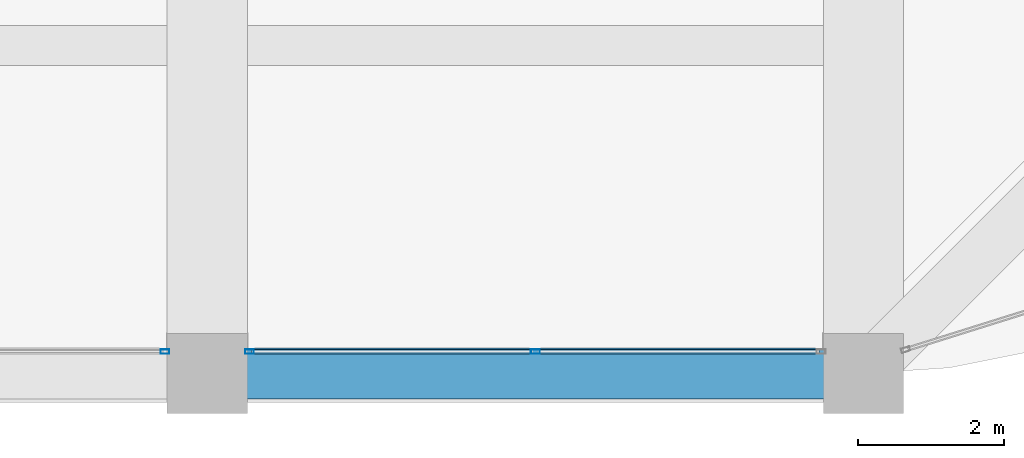
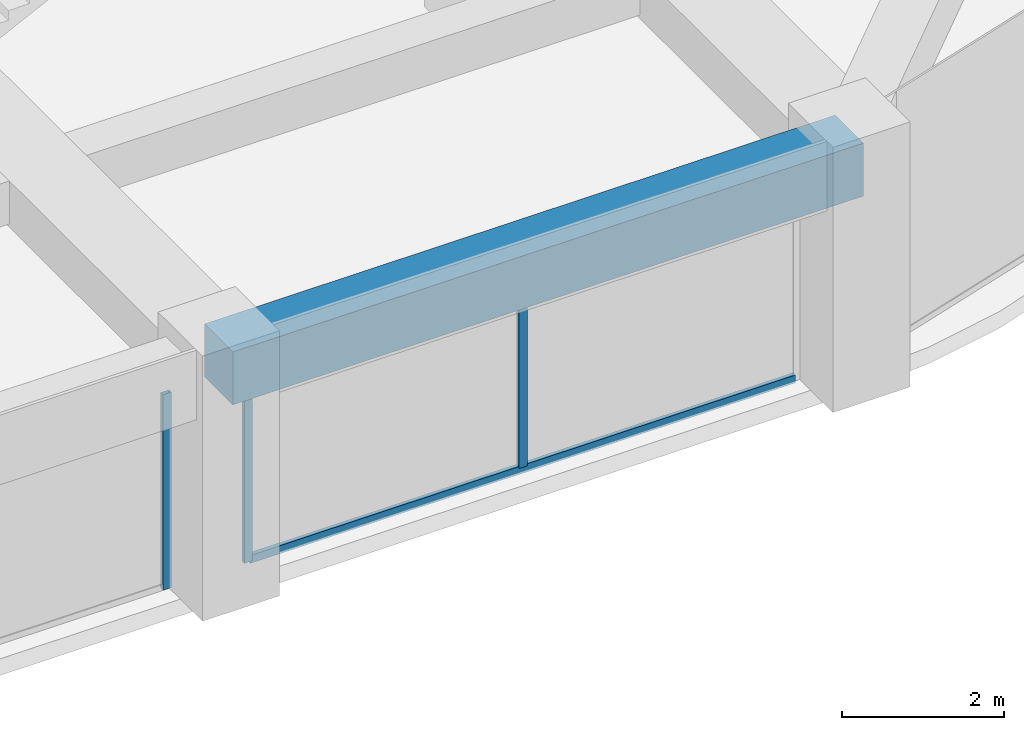
# One storey, part 11 of 44: 4 members, 1 beam, 2 elements without a shape of their own.
"""IFC4 building model written with IfcOpenShell, lengths in metres."""

from ifc_helpers import new_model, si_unit, direction, frame, origin, origin_2d, place, context, subcontext, project, spatial, rectangle, hollow_rectangle, extrude, material, material_profile, profile_set, type_object, element, aggregate, save


model = new_model("IFC4")

# Units and contexts
model_context = context("Model", 3, precision=1e-05, world=origin(), true_north=direction((0.0, 1.0)))
body_context = subcontext(model_context, "Body", "Model", "MODEL_VIEW")
ifc_project = project(units=[si_unit("LENGTHUNIT", "METRE"), si_unit("AREAUNIT", "SQUARE_METRE"), si_unit("VOLUMEUNIT", "CUBIC_METRE"), si_unit("PLANEANGLEUNIT", "RADIAN"), si_unit("MASSUNIT", "GRAM", prefix="KILO")], contexts=[model_context])

# Site, building, storey
site_placement = place(None, origin())
site = spatial("IfcSite", under=ifc_project, at=site_placement, CompositionType="ELEMENT")
building_placement = place(site_placement, origin())
building = spatial("IfcBuilding", under=site, at=building_placement, Name="Zorevar Civic Tower", CompositionType="ELEMENT")
storey_placement = place(building_placement, frame((0.0, 0.0, 251.39990234375)))
storey = spatial("IfcBuildingStorey", under=building, at=storey_placement, Name="L61", CompositionType="ELEMENT", Elevation=251.39990234375)

# Curtain wall, member
ifc_material_1 = material(Name="Dark grey solar-control glass in black aluminium frame", Category="aluminium")
curtain_wall_type = type_object("IfcCurtainWallType", Name="Curtain wall CW5 top zone", PredefinedType="NOTDEFINED", material=ifc_material_1)
curtain_wall_1_placement = place(storey_placement, origin())
curtain_wall_1 = element("IfcCurtainWall", 1, at=curtain_wall_1_placement, inside=storey, type_object=curtain_wall_type, Name="CW5 L61", PredefinedType="NOTDEFINED")
ifc_material_2 = material(Name="Aluminium, black anodised", Category="aluminium")
ifc_material_profile_1 = material_profile(ifc_material_2, hollow_rectangle(XDim=0.06005859375, YDim=0.1201171875, WallThickness=0.0029296875, at=origin_2d()), Name="AL 120x60x3")
ifc_profile_set_1 = profile_set([ifc_material_profile_1], Name="Aluminium, black anodised")
member_type_1 = type_object("IfcMemberType", Name="CW5 mullion AL 120x60x3", PredefinedType="MULLION", material=ifc_profile_set_1)
member_1_placement = place(storey_placement, frame((35.419921875, 0.300048828125, 0.0), z_axis=(0.0, 0.0, 1.0), x_axis=(0.0, 1.0, 0.0)))
member_1 = element("IfcMember", 2, at=member_1_placement, type_object=member_type_1, Name="CW5 mullion 3", PredefinedType="MULLION", context=body_context, shape_type="SweptSolid", body=[
    extrude(hollow_rectangle(XDim=0.06005859375, YDim=0.1201171875, WallThickness=0.0029296875, at=origin_2d()), origin(), (0.0, 0.0, 1.0), 2.9501953125),
])
aggregate(curtain_wall_1, [member_1])

# Curtain wall, members
curtain_wall_2_placement = place(storey_placement, origin())
curtain_wall_2 = element("IfcCurtainWall", 3, at=curtain_wall_2_placement, inside=storey, type_object=curtain_wall_type, Name="CW5 L61", PredefinedType="NOTDEFINED")
member_2_placement = place(storey_placement, frame((36.580078125, 0.300048828125, 0.0), z_axis=(0.0, 0.0, 1.0), x_axis=(0.0, 1.0, 0.0)))
member_2 = element("IfcMember", 4, at=member_2_placement, type_object=member_type_1, Name="CW5 mullion 1", PredefinedType="MULLION", context=body_context, shape_type="SweptSolid", body=[
    extrude(hollow_rectangle(XDim=0.06005859375, YDim=0.1201171875, WallThickness=0.0029296875, at=origin_2d()), origin(), (0.0, 0.0, 1.0), 2.9501953125),
])
member_3_placement = place(storey_placement, frame((40.5, 0.300048828125, 0.06005859375), z_axis=(0.0, 0.0, 1.0), x_axis=(0.0, 1.0, 0.0)))
member_3 = element("IfcMember", 5, at=member_3_placement, type_object=member_type_1, Name="CW5 mullion 2", PredefinedType="MULLION", context=body_context, shape_type="SweptSolid", body=[
    extrude(hollow_rectangle(XDim=0.06005859375, YDim=0.1201171875, WallThickness=0.0029296875, at=origin_2d()), origin(), (0.0, 0.0, 1.0), 2.89013671875),
])
ifc_material_3 = material(Name="Aluminium, black anodised", Category="aluminium")
ifc_material_profile_2 = material_profile(ifc_material_3, hollow_rectangle(XDim=0.06005859375, YDim=0.1201171875, WallThickness=0.0029296875, at=origin_2d()), Name="AL 120x60x3")
ifc_profile_set_2 = profile_set([ifc_material_profile_2], Name="Aluminium, black anodised")
member_type_2 = type_object("IfcMemberType", Name="CW5 transom AL 120x60x3", PredefinedType="USERDEFINED", material=ifc_profile_set_2)
member_4_placement = place(storey_placement, frame((36.610107421875, 0.300048828125, 0.030029296875), z_axis=(1.0, 0.0, 0.0), x_axis=(0.0, 1.0, 0.0)))
member_4 = element("IfcMember", 6, at=member_4_placement, type_object=member_type_2, Name="CW5 sill transom", ObjectType="TRANSOM", PredefinedType="USERDEFINED", context=body_context, shape_type="SweptSolid", body=[
    extrude(hollow_rectangle(XDim=0.06005859375, YDim=0.1201171875, WallThickness=0.0029296875, at=origin_2d()), origin(), (0.0, 0.0, 1.0), 7.77978515625),
])
aggregate(curtain_wall_2, [member_2, member_3, member_4])

# Beam
ifc_material_4 = material(Name="Concrete C50/60", Category="concrete")
ifc_material_profile_3 = material_profile(ifc_material_4, rectangle(XDim=0.699951171875, YDim=0.800048828125, at=origin_2d()), Name="RC 700x800")
ifc_profile_set_3 = profile_set([ifc_material_profile_3], Name="Concrete C50/60")
beam_type = type_object("IfcBeamType", Name="Edge beam RC 700x800", PredefinedType="SPANDREL", material=ifc_profile_set_3)
beam_placement = place(storey_placement, frame((36.0, 0.0, 3.35009765625), z_axis=(1.0, 0.0, 0.0), x_axis=(0.0, 1.0, 0.0)))
element("IfcBeam", 7, at=beam_placement, inside=storey, type_object=beam_type, Name="Edge beam L62", PredefinedType="SPANDREL", context=body_context, shape_type="SweptSolid", body=[
    extrude(rectangle(XDim=0.699951171875, YDim=0.800048828125, at=origin_2d()), origin(), (0.0, 0.0, 1.0), 9.0),
])

save(model, "model.ifc")
